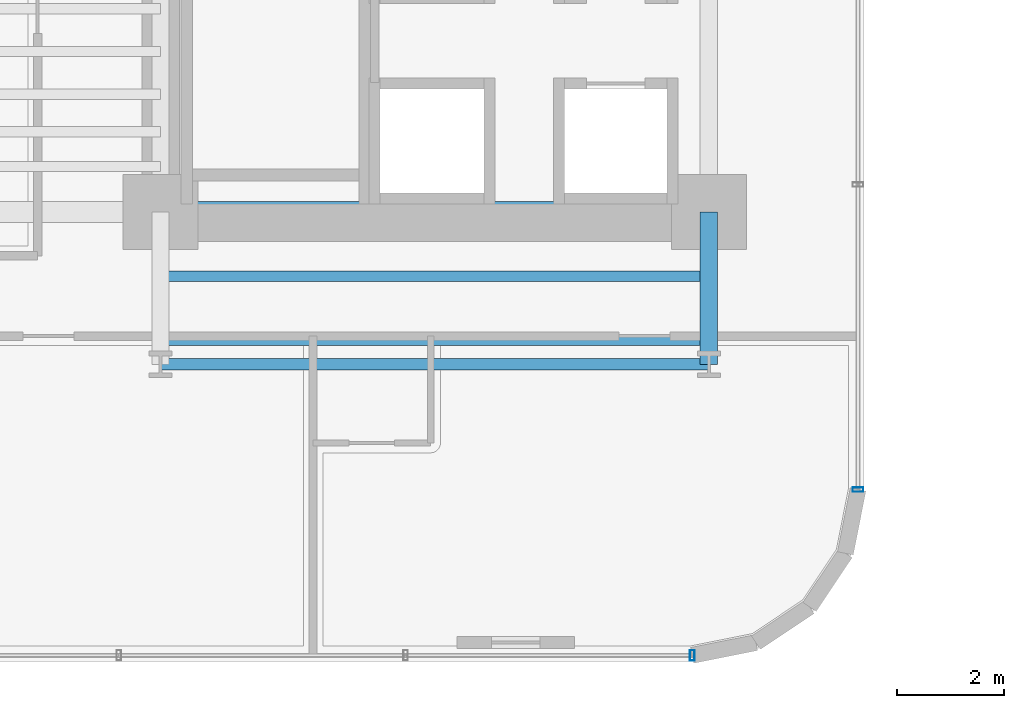
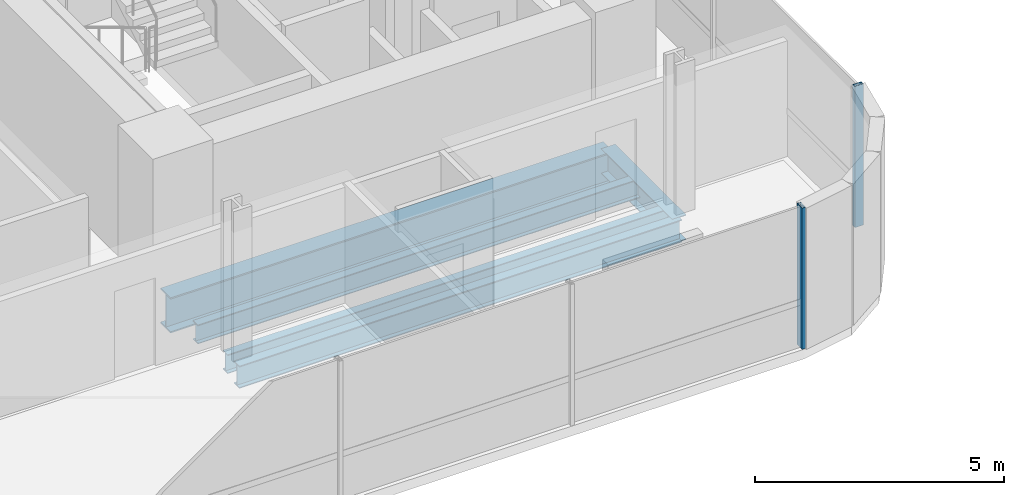
# One storey, part 5 of 41: 5 beams, 2 members, 2 elements without a shape of their own.
"""IFC4 building model written with IfcOpenShell, lengths in metres."""

from ifc_helpers import new_model, si_unit, direction, frame, origin, origin_2d, place, context, subcontext, project, spatial, hollow_rectangle, i_section, extrude, source, transform, mapped, material, material_profile, profile_set, type_object, element, aggregate, save


model = new_model("IFC4")

# Units and contexts
model_context = context("Model", 3, precision=1e-05, world=origin(), true_north=direction((0.0, 1.0)))
body_context = subcontext(model_context, "Body", "Model", "MODEL_VIEW")
ifc_project = project(units=[si_unit("LENGTHUNIT", "METRE"), si_unit("AREAUNIT", "SQUARE_METRE"), si_unit("VOLUMEUNIT", "CUBIC_METRE"), si_unit("PLANEANGLEUNIT", "RADIAN"), si_unit("MASSUNIT", "GRAM", prefix="KILO")], contexts=[model_context])

# Site, building, storey
site_placement = place(None, origin())
site = spatial("IfcSite", under=ifc_project, at=site_placement, CompositionType="ELEMENT")
building_placement = place(site_placement, origin())
building = spatial("IfcBuilding", under=site, at=building_placement, Name="Valdorenza Pilgrim Sanctuary Tower", CompositionType="ELEMENT")
storey_placement = place(building_placement, frame((0.0, 0.0, 63.0)))
storey = spatial("IfcBuildingStorey", under=building, at=storey_placement, Name="L15", CompositionType="ELEMENT", Elevation=63.0)

# Beams
ifc_material_1 = material(Name="Steel ASTM A992 Grade 50", Category="steel")
ifc_material_profile_1 = material_profile(ifc_material_1, i_section(OverallWidth=0.214111328125, OverallDepth=0.549072265625, WebThickness=0.0146484375, FlangeThickness=0.023681640625, at=origin_2d()), Name="W21X93")
ifc_profile_set_1 = profile_set([ifc_material_profile_1], Name="Steel ASTM A992 Grade 50")
beam_type_1 = type_object("IfcBeamType", Name="STR-BM-SPN-W21A", PredefinedType="SPANDREL", material=ifc_profile_set_1)
shared_shape_1 = source(origin(), body_context, "Body", "SweptSolid", [
    extrude(i_section(OverallWidth=0.214111328125, OverallDepth=0.549072265625, WebThickness=0.0146484375, FlangeThickness=0.023681640625, at=origin_2d()), origin(), (0.0, 0.0, 1.0), 10.25),
])
beam_1_placement = place(storey_placement, frame((-22.64990234375, -13.449951171875, -0.514404296875), z_axis=(1.0, 0.0, 0.0), x_axis=(0.0, 1.0, 0.0)))
element("IfcBeam", 1, at=beam_1_placement, inside=storey, type_object=beam_type_1, Name="L15 South Spandrel WA-S-TIE", PredefinedType="SPANDREL", context=body_context, shape_type="MappedRepresentation", body=[
    mapped(shared_shape_1, transform((0.0, 0.0, 0.0), x_axis=(1.0, 0.0, 0.0), y_axis=(0.0, 1.0, 0.0), z_axis=(0.0, 0.0, 1.0), scale=1.0)),
])
ifc_material_profile_2 = material_profile(ifc_material_1, i_section(OverallWidth=0.323974609375, OverallDepth=0.611083984375, WebThickness=0.0126953125, FlangeThickness=0.01904296875, at=origin_2d()), Name="W24X104")
ifc_profile_set_2 = profile_set([ifc_material_profile_2], Name="Steel ASTM A992 Grade 50")
beam_type_2 = type_object("IfcBeamType", Name="STR-BM-GRD-W24B", PredefinedType="BEAM", material=ifc_profile_set_2)
shared_shape_2 = source(origin(), body_context, "Body", "SweptSolid", [
    extrude(i_section(OverallWidth=0.323974609375, OverallDepth=0.611083984375, WebThickness=0.0126953125, FlangeThickness=0.01904296875, at=origin_2d()), origin(), (0.0, 0.0, 1.0), 2.849853515625),
])
beam_2_placement = place(storey_placement, frame((-12.39990234375, -13.449951171875, -0.54541015625), z_axis=(0.0, 1.0, 0.0), x_axis=(-1.0, 0.0, 0.0)))
element("IfcBeam", 2, at=beam_2_placement, inside=storey, type_object=beam_type_2, Name="L15 Floor Girder WA-S-LE", PredefinedType="BEAM", context=body_context, shape_type="MappedRepresentation", body=[
    mapped(shared_shape_2, transform((0.0, 0.0, 0.0), x_axis=(1.0, 0.0, 0.0), y_axis=(0.0, 1.0, 0.0), z_axis=(0.0, 0.0, 1.0), scale=1.0)),
])
ifc_material_profile_3 = material_profile(ifc_material_1, i_section(OverallWidth=0.193115234375, OverallDepth=0.466064453125, WebThickness=0.011474609375, FlangeThickness=0.01904296875, at=origin_2d()), Name="W18X65")
ifc_profile_set_3 = profile_set([ifc_material_profile_3], Name="Steel ASTM A992 Grade 50")
beam_type_3 = type_object("IfcBeamType", Name="STR-BM-JST-W18A", PredefinedType="JOIST", material=ifc_profile_set_3)
shared_shape_3 = source(origin(), body_context, "Body", "SweptSolid", [
    extrude(i_section(OverallWidth=0.193115234375, OverallDepth=0.466064453125, WebThickness=0.011474609375, FlangeThickness=0.01904296875, at=origin_2d()), origin(), (0.0, 0.0, 1.0), 10.25),
])
for number, where, z_axis, x_axis, name in (
    (3, (-22.64990234375, -13.0, -0.472900390625), (1.0, 0.0, 0.0), (0.0, 1.0, 0.0), "L15 Composite Floor Joist JST-WAS-1"),
    (4, (-22.64990234375, -11.800048828125, -0.472900390625), (1.0, 0.0, 0.0), (0.0, 1.0, 0.0), "L15 Composite Floor Joist JST-WAS-2"),
):
    element("IfcBeam", number, at=place(storey_placement, frame(where, z_axis=z_axis, x_axis=x_axis)), inside=storey, type_object=beam_type_3, Name=name, PredefinedType="JOIST", context=body_context, shape_type="MappedRepresentation", body=[
        mapped(shared_shape_3, transform((0.0, 0.0, 0.0), x_axis=(1.0, 0.0, 0.0), y_axis=(0.0, 1.0, 0.0), z_axis=(0.0, 0.0, 1.0), scale=1.0)),
    ])
ifc_material_profile_4 = material_profile(ifc_material_1, i_section(OverallWidth=0.39990234375, OverallDepth=0.862060546875, WebThickness=0.019775390625, FlangeThickness=0.032470703125, at=origin_2d()), Name="W33X221")
ifc_profile_set_4 = profile_set([ifc_material_profile_4], Name="Steel ASTM A992 Grade 50")
beam_type_4 = type_object("IfcBeamType", Name="STR-BM-GRD-W33", PredefinedType="BEAM", material=ifc_profile_set_4)
shared_shape_4 = source(origin(), body_context, "Body", "SweptSolid", [
    extrude(i_section(OverallWidth=0.39990234375, OverallDepth=0.862060546875, WebThickness=0.019775390625, FlangeThickness=0.032470703125, at=origin_2d()), origin(), (0.0, 0.0, 1.0), 10.25),
])
beam_3_placement = place(storey_placement, frame((-22.64990234375, -10.60009765625, -0.6708984375), z_axis=(1.0, 0.0, 0.0), x_axis=(0.0, 1.0, 0.0)))
element("IfcBeam", 5, at=beam_3_placement, inside=storey, type_object=beam_type_4, Name="L15 Floor Girder CA-XC-S1", PredefinedType="BEAM", context=body_context, shape_type="MappedRepresentation", body=[
    mapped(shared_shape_4, transform((0.0, 0.0, 0.0), x_axis=(1.0, 0.0, 0.0), y_axis=(0.0, 1.0, 0.0), z_axis=(0.0, 0.0, 1.0), scale=1.0)),
])

# Curtain wall, member
ifc_material_2 = material(Name="Curtain-wall IGU glazing", Category="glass")
curtain_wall_type = type_object("IfcCurtainWallType", Name="CW-SYS-02", PredefinedType="NOTDEFINED", material=ifc_material_2)
curtain_wall_1_placement = place(storey_placement, origin())
curtain_wall_1 = element("IfcCurtainWall", 6, at=curtain_wall_1_placement, inside=storey, type_object=curtain_wall_type, Name="L15 Curtain Wall CW-L15-1-41", PredefinedType="NOTDEFINED")
ifc_material_3 = material(Name="Anodised aluminium AW-6060", Category="aluminium")
ifc_material_profile_5 = material_profile(ifc_material_3, hollow_rectangle(XDim=0.0849609375, YDim=0.199951171875, WallThickness=0.0048828125, at=origin_2d()), Name="ALU-M 200x85x5")
ifc_profile_set_5 = profile_set([ifc_material_profile_5], Name="Anodised aluminium AW-6060")
member_type = type_object("IfcMemberType", Name="CW-MUL-02", PredefinedType="MULLION", material=ifc_profile_set_5)
shared_shape_5 = source(origin(), body_context, "Body", "SweptSolid", [
    extrude(hollow_rectangle(XDim=0.0849609375, YDim=0.199951171875, WallThickness=0.0048828125, at=origin_2d()), origin(), (0.0, 0.0, 1.0), 3.4599609375),
])
member_1_placement = place(storey_placement, frame((-9.610107421875, -15.789306640625, 0.0), z_axis=(0.0, 0.0, 1.0), x_axis=(0.0, -1.0, 0.0)))
member_1 = element("IfcMember", 7, at=member_1_placement, type_object=member_type, Name="CW-L15-1-41 Mullion 5", PredefinedType="MULLION", context=body_context, shape_type="MappedRepresentation", body=[
    mapped(shared_shape_5, transform((0.0, 0.0, 0.0), x_axis=(1.0, 0.0, 0.0), y_axis=(0.0, 1.0, 0.0), z_axis=(0.0, 0.0, 1.0), scale=1.0)),
])
aggregate(curtain_wall_1, [member_1])

curtain_wall_2_placement = place(storey_placement, origin())
curtain_wall_2 = element("IfcCurtainWall", 8, at=curtain_wall_2_placement, inside=storey, type_object=curtain_wall_type, Name="L15 Curtain Wall CW-L15-1-46", PredefinedType="NOTDEFINED")
member_2_placement = place(storey_placement, frame((-12.710693359375, -18.889892578125, 0.0), z_axis=(0.0, 0.0, 1.0), x_axis=(-1.0, 0.0, 0.0)))
member_2 = element("IfcMember", 9, at=member_2_placement, type_object=member_type, Name="CW-L15-1-46 Mullion 1", PredefinedType="MULLION", context=body_context, shape_type="MappedRepresentation", body=[
    mapped(shared_shape_5, transform((0.0, 0.0, 0.0), x_axis=(1.0, 0.0, 0.0), y_axis=(0.0, 1.0, 0.0), z_axis=(0.0, 0.0, 1.0), scale=1.0)),
])
aggregate(curtain_wall_2, [member_2])

save(model, "model.ifc")
